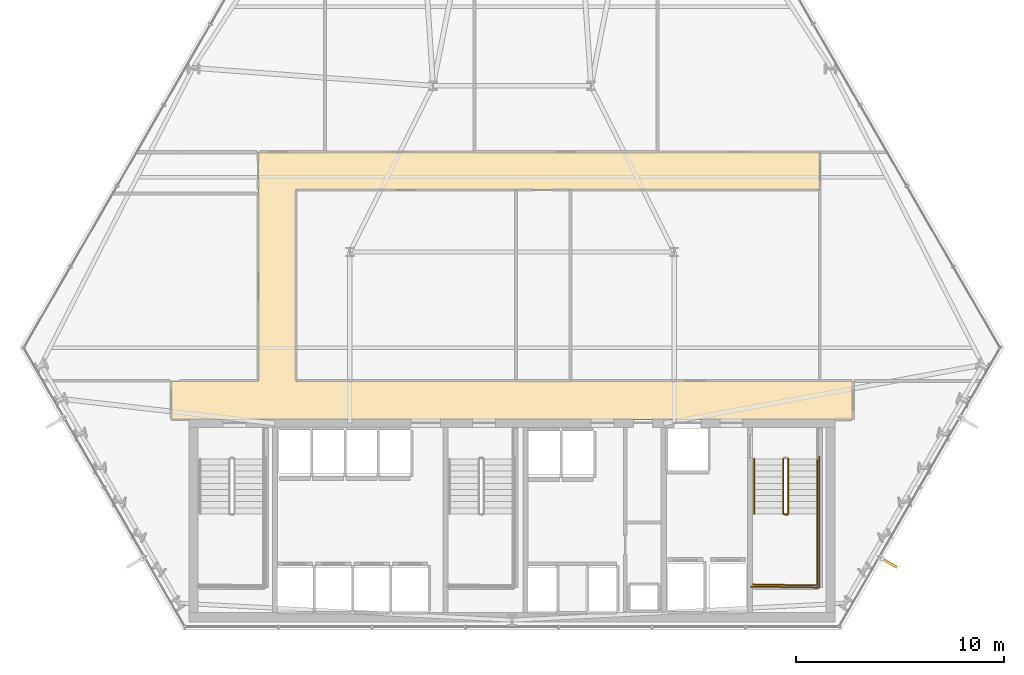
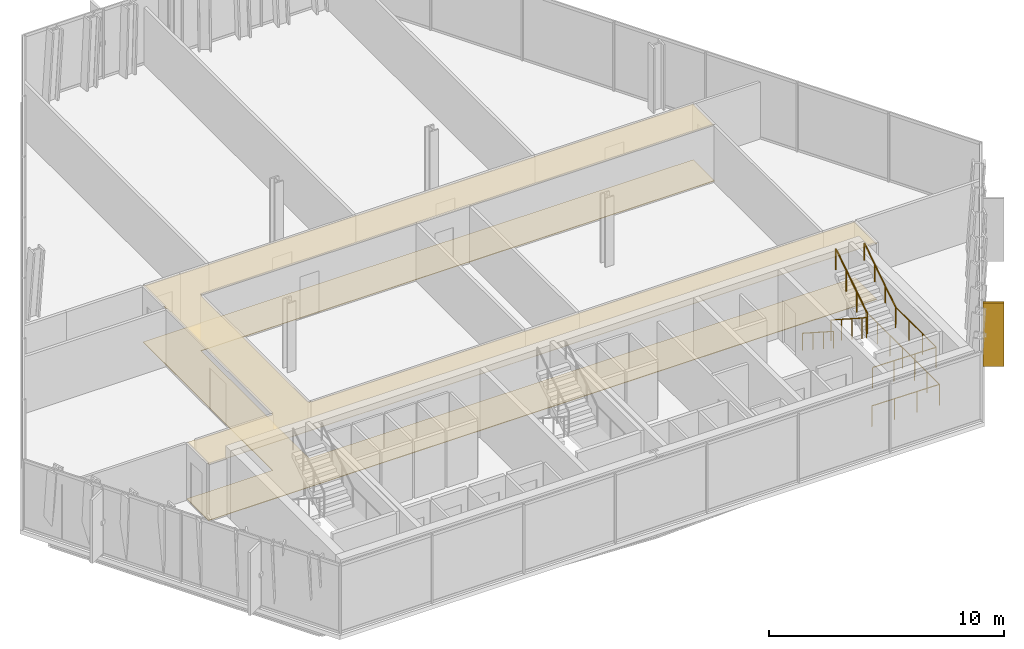
# One storey, part 30 of 32: 6 railings, 2 coverings, 1 shading device.
"""IFC4 building model written with IfcOpenShell, lengths in metres."""

from ifc_helpers import new_model, si_unit, direction, frame, origin, origin_2d, place, context, subcontext, project, spatial, polyline, rectangle, circle, outline, extrude, material, layer, layer_set, type_object, element, save


model = new_model("IFC4")

# Units and contexts
model_context = context("Model", 3, precision=1e-05, world=origin(), true_north=direction((0.0, 1.0)))
body_context = subcontext(model_context, "Body", "Model", "MODEL_VIEW")
ifc_project = project(units=[si_unit("LENGTHUNIT", "METRE"), si_unit("AREAUNIT", "SQUARE_METRE"), si_unit("VOLUMEUNIT", "CUBIC_METRE"), si_unit("PLANEANGLEUNIT", "RADIAN"), si_unit("MASSUNIT", "GRAM", prefix="KILO")], contexts=[model_context])

# Site, building, storey
site_placement = place(None, origin())
site = spatial("IfcSite", under=ifc_project, at=site_placement, CompositionType="ELEMENT")
building_placement = place(site_placement, origin())
building = spatial("IfcBuilding", under=site, at=building_placement, Name="Ndaravel Arena Tower", CompositionType="ELEMENT")
storey_placement = place(building_placement, frame((0.0, 0.0, 66.39990234375)))
storey = spatial("IfcBuildingStorey", under=building, at=storey_placement, Name="L14", CompositionType="ELEMENT", Elevation=66.39990234375)

# Coverings
ifc_material_1 = material(Name="Acoustic Ceiling Tile", Category="finish")
ifc_layer_1 = layer(ifc_material_1, 0.02490234375)
ifc_layer_set_1 = layer_set([ifc_layer_1], Name="Acoustic Ceiling Tile")
covering_type_1 = type_object("IfcCoveringType", Name="COV-CEIL-AC600", PredefinedType="CEILING", material=ifc_layer_set_1)
covering_1_placement = place(storey_placement, frame((0.0, 0.0, 2.920166015625)))
element("IfcCovering", 1, at=covering_1_placement, inside=storey, type_object=covering_type_1, Name="L14 Corridor Acoustic Ceiling", PredefinedType="CEILING", context=body_context, shape_type="SweptSolid", body=[
    extrude(outline(polyline([(58.39990234375, 17.0), (31.60009765625, 17.0), (31.60009765625, 26.199951171875), (56.800048828125, 26.199951171875), (56.800048828125, 28.0), (31.60009765625, 28.0), (29.800048828125, 28.0), (29.800048828125, 26.199951171875), (29.800048828125, 17.0), (25.60009765625, 17.0), (25.60009765625, 15.14990234375), (58.39990234375, 15.14990234375), (58.39990234375, 17.0)])), origin(), (0.0, 0.0, 1.0), 0.02490234375),
])
ifc_material_2 = material(Name="Terrazzo", Category="stone")
ifc_layer_2 = layer(ifc_material_2, 0.030029296875)
ifc_layer_set_2 = layer_set([ifc_layer_2], Name="Terrazzo")
covering_type_2 = type_object("IfcCoveringType", Name="COV-FLOOR-TERRAZZO", PredefinedType="FLOORING", material=ifc_layer_set_2)
covering_2_placement = place(storey_placement, origin())
element("IfcCovering", 2, at=covering_2_placement, inside=storey, type_object=covering_type_2, Name="L14 Corridor Terrazzo Flooring", PredefinedType="FLOORING", context=body_context, shape_type="SweptSolid", body=[
    extrude(outline(polyline([(58.39990234375, 17.0), (31.60009765625, 17.0), (31.60009765625, 26.199951171875), (56.800048828125, 26.199951171875), (56.800048828125, 28.0), (31.60009765625, 28.0), (29.800048828125, 28.0), (29.800048828125, 26.199951171875), (29.800048828125, 17.0), (25.60009765625, 17.0), (25.60009765625, 15.14990234375), (58.39990234375, 15.14990234375), (58.39990234375, 17.0)])), origin(), (0.0, 0.0, 1.0), 0.030029296875),
])

# Railings
ifc_material_3 = material(Name="Steel S355", Category="steel")
ifc_layer_3 = layer(ifc_material_3, 0.06005859375)
ifc_layer_set_3 = layer_set([ifc_layer_3], Name="Steel S355")
railing_type_1 = type_object("IfcRailingType", Name="RAIL-STAIR-GD1100", PredefinedType="GUARDRAIL", material=ifc_layer_set_3)
railing_1_placement = place(storey_placement, frame((55.050048828125, 13.25, 0.190185546875)))
element("IfcRailing", 3, at=railing_1_placement, inside=storey, type_object=railing_type_1, Name="L14 ST-3 stair guard 1", PredefinedType="GUARDRAIL", context=body_context, shape_type="SweptSolid", body=[
    extrude(circle(Radius=0.02392578125, at=origin_2d()), frame((0.0, 0.0, 1.076171875), z_axis=(0.0, -0.840723540582, 0.54146461409), x_axis=(1.0, 0.0, 0.0)), (0.0, 0.0, 1.0), 3.157958984375),
    extrude(circle(Radius=0.02392578125, at=origin_2d()), frame((0.0, -2.655029296875, 2.7861328125), z_axis=(0.966993988697, -0.254799187253, 0.0), x_axis=(0.254799187253, 0.966993988697, 0.0)), (0.0, 0.0, 1.0), 0.196533203125),
    extrude(circle(Radius=0.02099609375, at=origin_2d()), origin(), (0.0, 0.0, 1.0), 1.052001953125),
    extrude(circle(Radius=0.02099609375, at=origin_2d()), frame((0.0, -0.885009765625, 0.570068359375)), (0.0, 0.0, 1.0), 1.052001953125),
    extrude(circle(Radius=0.02099609375, at=origin_2d()), frame((0.0, -1.77001953125, 1.139892578125)), (0.0, 0.0, 1.0), 1.052001953125),
    extrude(circle(Radius=0.02099609375, at=origin_2d()), frame((0.0, -2.655029296875, 1.7099609375)), (0.0, 0.0, 1.0), 1.052001953125),
    extrude(circle(Radius=0.02099609375, at=origin_2d()), frame((0.18994140625, -2.705078125, 1.7099609375)), (0.0, 0.0, 1.0), 1.052001953125),
])
railing_2_placement = place(storey_placement, frame((56.68994140625, 10.594970703125, 1.900146484375)))
element("IfcRailing", 4, at=railing_2_placement, inside=storey, type_object=railing_type_1, Name="L14 ST-3 stair guard 2", PredefinedType="GUARDRAIL", context=body_context, shape_type="SweptSolid", body=[
    extrude(circle(Radius=0.02392578125, at=origin_2d()), frame((0.0, 0.0, 1.076171875), z_axis=(0.0, -1.0, 0.0), x_axis=(1.0, 0.0, 0.0)), (0.0, 0.0, 1.0), 3.445068359375),
    extrude(circle(Radius=0.02392578125, at=origin_2d()), frame((0.0, -3.445068359375, 1.076171875), z_axis=(-0.999868840623, 0.016195726322, 0.0), x_axis=(-0.016195726322, -0.999868840623, 0.0)), (0.0, 0.0, 1.0), 3.09033203125),
    extrude(circle(Radius=0.02099609375, at=origin_2d()), origin(), (0.0, 0.0, 1.0), 1.052001953125),
    extrude(circle(Radius=0.02099609375, at=origin_2d()), frame((0.0, -1.1484375, 0.0)), (0.0, 0.0, 1.0), 1.052001953125),
    extrude(circle(Radius=0.02099609375, at=origin_2d()), frame((0.0, -2.296630859375, 0.0)), (0.0, 0.0, 1.0), 1.052001953125),
    extrude(circle(Radius=0.02099609375, at=origin_2d()), frame((0.0, -3.445068359375, 0.0)), (0.0, 0.0, 1.0), 1.052001953125),
    extrude(circle(Radius=0.02099609375, at=origin_2d()), frame((-1.030029296875, -3.428466796875, 0.0)), (0.0, 0.0, 1.0), 1.052001953125),
    extrude(circle(Radius=0.02099609375, at=origin_2d()), frame((-2.059814453125, -3.41162109375, 0.0)), (0.0, 0.0, 1.0), 1.052001953125),
    extrude(circle(Radius=0.02099609375, at=origin_2d()), frame((-3.08984375, -3.39501953125, 0.0)), (0.0, 0.0, 1.0), 1.052001953125),
])
railing_3_placement = place(storey_placement, frame((55.2900390625, 10.594970703125, 2.090087890625)))
element("IfcRailing", 5, at=railing_3_placement, inside=storey, type_object=railing_type_1, Name="L14 ST-3 stair guard 3", PredefinedType="GUARDRAIL", context=body_context, shape_type="SweptSolid", body=[
    extrude(circle(Radius=0.02392578125, at=origin_2d()), frame((0.0, 0.0, 1.076171875), z_axis=(0.0, 0.840723540582, 0.54146461409), x_axis=(-1.0, 0.0, 0.0)), (0.0, 0.0, 1.0), 3.157958984375),
    extrude(circle(Radius=0.02099609375, at=origin_2d()), origin(), (0.0, 0.0, 1.0), 1.052001953125),
    extrude(circle(Radius=0.02099609375, at=origin_2d()), frame((0.0, 0.885009765625, 0.570068359375)), (0.0, 0.0, 1.0), 1.052001953125),
    extrude(circle(Radius=0.02099609375, at=origin_2d()), frame((0.0, 1.77001953125, 1.139892578125)), (0.0, 0.0, 1.0), 1.052001953125),
    extrude(circle(Radius=0.02099609375, at=origin_2d()), frame((0.0, 2.655029296875, 1.7099609375)), (0.0, 0.0, 1.0), 1.052001953125),
])
railing_4_placement = place(storey_placement, frame((56.7900390625, 13.35009765625, 0.0)))
element("IfcRailing", 6, at=railing_4_placement, inside=storey, type_object=railing_type_1, Name="L14 ST-3 stair guard 6", PredefinedType="GUARDRAIL", context=body_context, shape_type="SweptSolid", body=[
    extrude(circle(Radius=0.02392578125, at=origin_2d()), frame((0.0, 0.0, 1.076171875), z_axis=(0.0, -1.0, 0.0), x_axis=(1.0, 0.0, 0.0)), (0.0, 0.0, 1.0), 6.300048828125),
    extrude(circle(Radius=0.02392578125, at=origin_2d()), frame((0.0, -6.300048828125, 1.076171875), z_axis=(-0.99988431412, 0.015210469308, 0.0), x_axis=(-0.015210469308, -0.99988431412, 0.0)), (0.0, 0.0, 1.0), 3.29052734375),
    extrude(circle(Radius=0.02099609375, at=origin_2d()), origin(), (0.0, 0.0, 1.0), 1.052001953125),
    extrude(circle(Radius=0.02099609375, at=origin_2d()), frame((0.0, -1.050048828125, 0.0)), (0.0, 0.0, 1.0), 1.052001953125),
    extrude(circle(Radius=0.02099609375, at=origin_2d()), frame((0.0, -2.10009765625, 0.0)), (0.0, 0.0, 1.0), 1.052001953125),
    extrude(circle(Radius=0.02099609375, at=origin_2d()), frame((0.0, -3.14990234375, 0.0)), (0.0, 0.0, 1.0), 1.052001953125),
    extrude(circle(Radius=0.02099609375, at=origin_2d()), frame((0.0, -4.199951171875, 0.0)), (0.0, 0.0, 1.0), 1.052001953125),
    extrude(circle(Radius=0.02099609375, at=origin_2d()), frame((0.0, -5.25, 0.0)), (0.0, 0.0, 1.0), 1.052001953125),
    extrude(circle(Radius=0.02099609375, at=origin_2d()), frame((0.0, -6.300048828125, 0.0)), (0.0, 0.0, 1.0), 1.052001953125),
    extrude(circle(Radius=0.02099609375, at=origin_2d()), frame((-1.0966796875, -6.283447265625, 0.0)), (0.0, 0.0, 1.0), 1.052001953125),
    extrude(circle(Radius=0.02099609375, at=origin_2d()), frame((-2.193359375, -6.2666015625, 0.0)), (0.0, 0.0, 1.0), 1.052001953125),
    extrude(circle(Radius=0.02099609375, at=origin_2d()), frame((-3.2900390625, -6.25, 0.0)), (0.0, 0.0, 1.0), 1.052001953125),
])
ifc_material_4 = material(Name="Steel S355", Category="steel")
ifc_layer_4 = layer(ifc_material_4, 0.050048828125)
ifc_layer_set_4 = layer_set([ifc_layer_4], Name="Steel S355")
railing_type_2 = type_object("IfcRailingType", Name="RAIL-STAIR-HR920", PredefinedType="HANDRAIL", material=ifc_layer_set_4)
railing_5_placement = place(storey_placement, frame((53.64990234375, 13.25, 0.190185546875)))
element("IfcRailing", 7, at=railing_5_placement, inside=storey, type_object=railing_type_2, Name="L14 ST-3 stair handrail 1", PredefinedType="HANDRAIL", context=body_context, shape_type="SweptSolid", body=[
    extrude(circle(Radius=0.02392578125, at=origin_2d()), frame((0.0, 0.0, 0.8759765625), z_axis=(0.0, -0.840723540582, 0.54146461409), x_axis=(1.0, 0.0, 0.0)), (0.0, 0.0, 1.0), 3.157958984375),
    extrude(circle(Radius=0.02099609375, at=origin_2d()), origin(), (0.0, 0.0, 1.0), 0.851806640625),
    extrude(circle(Radius=0.02099609375, at=origin_2d()), frame((0.0, -0.885009765625, 0.570068359375)), (0.0, 0.0, 1.0), 0.851806640625),
    extrude(circle(Radius=0.02099609375, at=origin_2d()), frame((0.0, -1.77001953125, 1.139892578125)), (0.0, 0.0, 1.0), 0.851806640625),
    extrude(circle(Radius=0.02099609375, at=origin_2d()), frame((0.0, -2.655029296875, 1.7099609375)), (0.0, 0.0, 1.0), 0.851806640625),
])
railing_6_placement = place(storey_placement, frame((56.68994140625, 10.594970703125, 2.090087890625)))
element("IfcRailing", 8, at=railing_6_placement, inside=storey, type_object=railing_type_2, Name="L14 ST-3 stair handrail 2", PredefinedType="HANDRAIL", context=body_context, shape_type="SweptSolid", body=[
    extrude(circle(Radius=0.02392578125, at=origin_2d()), frame((0.0, 0.0, 0.8759765625), z_axis=(0.0, 0.840723540582, 0.54146461409), x_axis=(-1.0, 0.0, 0.0)), (0.0, 0.0, 1.0), 3.157958984375),
    extrude(circle(Radius=0.02099609375, at=origin_2d()), origin(), (0.0, 0.0, 1.0), 0.851806640625),
    extrude(circle(Radius=0.02099609375, at=origin_2d()), frame((0.0, 0.885009765625, 0.570068359375)), (0.0, 0.0, 1.0), 0.851806640625),
    extrude(circle(Radius=0.02099609375, at=origin_2d()), frame((0.0, 1.77001953125, 1.139892578125)), (0.0, 0.0, 1.0), 0.851806640625),
    extrude(circle(Radius=0.02099609375, at=origin_2d()), frame((0.0, 2.655029296875, 1.7099609375)), (0.0, 0.0, 1.0), 0.851806640625),
])

# Shading device
ifc_material_5 = material(Name="Masonry", Category="masonry")
shading_device_type = type_object("IfcShadingDeviceType", Name="SHD-MAZERAS-FIN", PredefinedType="SHUTTER", material=ifc_material_5)
shading_device_placement = place(storey_placement, frame((60.136474609375, 8.25146484375, 0.14990234375), z_axis=(0.0, 0.0, 1.0), x_axis=(0.866025403784, -0.5, 0.0)))
element("IfcShadingDevice", 9, at=shading_device_placement, inside=storey, type_object=shading_device_type, Name="L14 Mazeras Stone Solar Fin E2.1", PredefinedType="SHUTTER", context=body_context, shape_type="SweptSolid", body=[
    extrude(rectangle(XDim=0.89990234375, YDim=0.1201171875, at=origin_2d()), origin(), (0.0, 0.0, 1.0), 3.280029296875),
])

save(model, "model.ifc")
